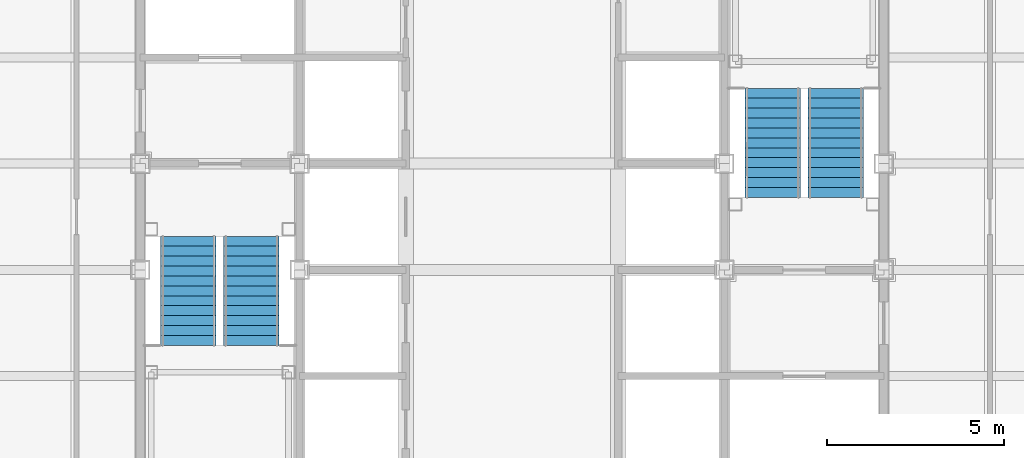
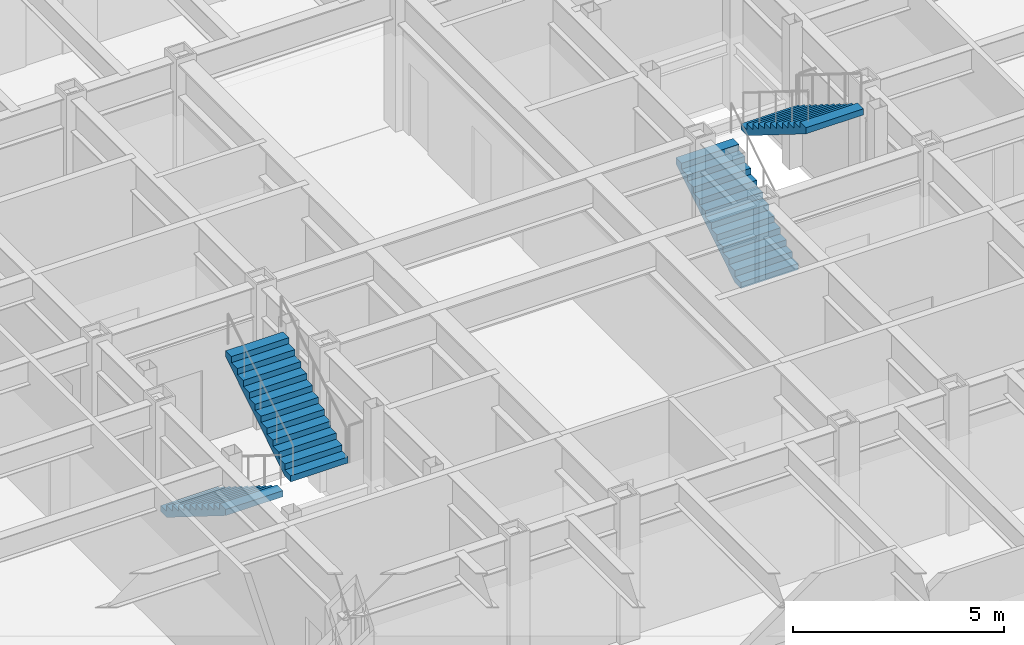
# One storey, part 14 of 16: 4 stair flights, 2 elements without a shape of their own.
"""IFC4 building model written with IfcOpenShell, lengths in metres."""

import ifcopenshell
import ifcopenshell.guid

model = None  # the IFC model being written
_history = None  # IfcOwnerHistory: only IFC2X3 demands one
_inside = {}  # id of a spatial element -> (the spatial element, [elements in it])
_under = {}  # id of a project, library or spatial element -> (it, [spatial elements below it])
_declared = {}  # id of a project -> (the project, [libraries it declares])
_typed = {}  # id of a type object -> (the type object, [elements of that type])
_made_of = {}  # id of a material, layer set ... -> (it, [elements and type objects made of it])


def new_model(schema):
    """Start an empty IFC model of exactly this schema.

    Asked for "IFC4X3", IfcOpenShell would pick the latest addendum, in which some entities
    have other attributes; the version numbers below select the first issue.
    IFC2X3 requires an IfcOwnerHistory on every rooted entity: one is made here for all.
    """
    global model, _history
    if schema == "IFC4X3":
        model = ifcopenshell.file(schema_version=(4, 3, 0, 0))
    else:
        model = ifcopenshell.file(schema=schema)
    _inside.clear()
    _under.clear()
    _declared.clear()
    _typed.clear()
    _made_of.clear()
    _history = None
    if model.schema == "IFC2X3":
        org = make("IfcOrganization", Name="unknown")
        user = make(
            "IfcPersonAndOrganization",
            ThePerson=make("IfcPerson", FamilyName="unknown"),
            TheOrganization=org,
        )
        app = make(
            "IfcApplication",
            ApplicationDeveloper=org,
            Version="unknown",
            ApplicationFullName="unknown",
            ApplicationIdentifier="unknown",
        )
        _history = make(
            "IfcOwnerHistory",
            OwningUser=user,
            OwningApplication=app,
            ChangeAction="ADDED",
            CreationDate=0,
        )
    return model


def make(cls, **values):
    """One entity of the class cls with the attributes given. An attribute that is None is left unset."""
    return model.create_entity(
        cls, **{name: value for name, value in values.items() if value is not None}
    )


def rooted(cls, **values):
    """An entity with a GlobalId (a new one), such as an element, a storey or a relation."""
    return make(cls, GlobalId=ifcopenshell.guid.new(), OwnerHistory=_history, **values)


def si_unit(unit_type, name, prefix=None):
    """IfcSIUnit, for example si_unit("LENGTHUNIT", "METRE", prefix="MILLI")."""
    return make("IfcSIUnit", UnitType=unit_type, Prefix=prefix, Name=name)


def assignment(units):
    """IfcUnitAssignment: the units of a project."""
    return None if units is None else make("IfcUnitAssignment", Units=units)


def point(xyz):
    """IfcCartesianPoint."""
    return None if xyz is None else make("IfcCartesianPoint", Coordinates=xyz)


def direction(xyz):
    """IfcDirection."""
    return None if xyz is None else make("IfcDirection", DirectionRatios=xyz)


def frame(location, z_axis=None, x_axis=None):
    """IfcAxis2Placement3D, a coordinate frame: its origin and axes. An axis left out is left unset."""
    return make(
        "IfcAxis2Placement3D",
        Location=point(location),
        Axis=direction(z_axis),
        RefDirection=direction(x_axis),
    )


def origin():
    """The frame at (0, 0, 0) with its axes left unset."""
    return frame((0.0, 0.0, 0.0))


def place(relative_to, where):
    """IfcLocalPlacement: puts the frame where relative to a parent placement (None: the world)."""
    return make(
        "IfcLocalPlacement", PlacementRelTo=relative_to, RelativePlacement=where
    )


def context(
    kind, dimensions, precision=None, world=None, true_north=None, identifier=None
):
    """IfcGeometricRepresentationContext, for example the 3D "Model" context."""
    return make(
        "IfcGeometricRepresentationContext",
        ContextIdentifier=identifier,
        ContextType=kind,
        CoordinateSpaceDimension=dimensions,
        Precision=precision,
        WorldCoordinateSystem=world,
        TrueNorth=true_north,
    )


def subcontext(parent, identifier, kind, view, scale=None):
    """IfcGeometricRepresentationSubContext, for example "Body" below "Model"."""
    return make(
        "IfcGeometricRepresentationSubContext",
        ContextIdentifier=identifier,
        ContextType=kind,
        ParentContext=parent,
        TargetScale=scale,
        TargetView=view,
    )


def project(units=None, contexts=None):
    """IfcProject with its units and contexts."""
    return rooted(
        "IfcProject",
        Name="project",
        RepresentationContexts=contexts,
        UnitsInContext=assignment(units),
    )


def spatial(cls, under=None, at=None, **own):
    """A site, building, storey or space (cls), placed at a placement, below another one or the project."""
    s = rooted(cls, ObjectPlacement=at, **own)
    if under is not None:
        _under.setdefault(under.id(), (under, []))[1].append(s)
    return s


def faces_of(points, faces, orient=None, outer=None):
    """IfcFace entities. A face is a list of loops; a loop is a list of indices into points, from 0.

    orient and outer hold one flag for each loop. By default every Orientation is true, the
    first loop of a face is its IfcFaceOuterBound and the others are IfcFaceBound.
    """
    made = []
    for i, loops in enumerate(faces):
        bounds = []
        for j, loop in enumerate(loops):
            is_outer = j == 0 if outer is None else outer[i][j]
            bounds.append(
                make(
                    "IfcFaceOuterBound" if is_outer else "IfcFaceBound",
                    Bound=make("IfcPolyLoop", Polygon=[points[k] for k in loop]),
                    Orientation=True if orient is None else orient[i][j],
                )
            )
        made.append(make("IfcFace", Bounds=bounds))
    return made


def faceted_brep(points, faces, orient=None, outer=None, voids=None):
    """IfcFacetedBrep: a solid bounded by flat faces; with voids (closed shells), ...WithVoids."""
    shared = [point(p) for p in points]
    hull = make("IfcClosedShell", CfsFaces=faces_of(shared, faces, orient, outer))
    if voids is None:
        return make("IfcFacetedBrep", Outer=hull)
    return make(
        "IfcFacetedBrepWithVoids",
        Outer=hull,
        Voids=[
            make(cls, CfsFaces=faces_of(shared, fs, o, b)) for cls, fs, o, b in voids
        ],
    )


def shape(context_of_items, identifier, shape_type, items):
    """IfcShapeRepresentation: the items that make up one representation, for example the "Body"."""
    return make(
        "IfcShapeRepresentation",
        ContextOfItems=context_of_items,
        RepresentationIdentifier=identifier,
        RepresentationType=shape_type,
        Items=items,
    )


def material(Name=None, Category=None):
    """IfcMaterial."""
    return make("IfcMaterial", Name=Name, Category=Category)


def made_of(thing, what):
    """Note that an element or type object is made of a material, layer set ...; save() writes the relation."""
    if what is not None:
        _made_of.setdefault(what.id(), (what, []))[1].append(thing)
    return thing


def type_object(cls, material=None, **own):
    """A type object (cls), such as IfcWallType, which elements share."""
    return made_of(rooted(cls, **own), material)


def element(
    cls,
    number,
    at=None,
    inside=None,
    cuts=None,
    type_object=None,
    material=None,
    context=None,
    identifier="Body",
    shape_type=None,
    held_by="IfcProductDefinitionShape",
    body=None,
    shapes=None,
    **own,
):
    """One element of the class cls, such as IfcWall. Its Tag is "e" and its number.

    at: its placement. inside: the storey or other place that contains it. cuts: it is an
    opening in that element (IfcRelVoidsElement). A single representation is given by context,
    identifier, shape_type and body (its items); several are given by shapes. held_by: the class
    of the entity that holds the representations. save() writes the other relations.
    """
    e = rooted(cls, Tag="e%d" % number, ObjectPlacement=at, **own)
    if body is not None:
        shapes = [shape(context, identifier, shape_type, body)]
    if shapes is not None:
        e.Representation = make(held_by, Representations=shapes)
    if inside is not None:
        _inside.setdefault(inside.id(), (inside, []))[1].append(e)
    if cuts is not None:
        rooted(
            "IfcRelVoidsElement", RelatingBuildingElement=cuts, RelatedOpeningElement=e
        )
    if type_object is not None:
        _typed.setdefault(type_object.id(), (type_object, []))[1].append(e)
    return made_of(e, material)


def aggregate(whole, parts):
    """IfcRelAggregates: a whole, such as a stair, and the parts it consists of."""
    return rooted("IfcRelAggregates", RelatingObject=whole, RelatedObjects=parts)


def save(model, path):
    """Write the relations noted so far, then the file.

    IfcRelAggregates (storeys below a building ...), IfcRelContainedInSpatialStructure (elements
    in a storey), IfcRelDefinesByType, IfcRelAssociatesMaterial and IfcRelDeclares: one each for
    every whole, place, type object, material and project.
    """
    for whole, parts in _under.values():
        aggregate(whole, parts)
    for where, things in _inside.values():
        rooted(
            "IfcRelContainedInSpatialStructure",
            RelatedElements=things,
            RelatingStructure=where,
        )
    for kind, things in _typed.values():
        rooted("IfcRelDefinesByType", RelatedObjects=things, RelatingType=kind)
    for what, things in _made_of.values():
        rooted("IfcRelAssociatesMaterial", RelatedObjects=things, RelatingMaterial=what)
    for by, libraries in _declared.values():
        rooted("IfcRelDeclares", RelatingContext=by, RelatedDefinitions=libraries)
    model.write(path)


model = new_model("IFC4")

# Units and contexts
model_context = context("Model", 3, precision=1e-05, world=origin(), true_north=direction((0.0, 1.0)))
body_context = subcontext(model_context, "Body", "Model", "MODEL_VIEW")
ifc_project = project(units=[si_unit("LENGTHUNIT", "METRE"), si_unit("AREAUNIT", "SQUARE_METRE"), si_unit("VOLUMEUNIT", "CUBIC_METRE"), si_unit("PLANEANGLEUNIT", "RADIAN"), si_unit("MASSUNIT", "GRAM", prefix="KILO")], contexts=[model_context])

# Site, building, storey
site_placement = place(None, origin())
site = spatial("IfcSite", under=ifc_project, at=site_placement, CompositionType="ELEMENT")
building_placement = place(site_placement, origin())
building = spatial("IfcBuilding", under=site, at=building_placement, Name="Chuquiago Exchange Tower", CompositionType="ELEMENT")
storey_placement = place(building_placement, frame((0.0, 0.0, 222.300048828125)))
storey = spatial("IfcBuildingStorey", under=building, at=storey_placement, Name="L49", CompositionType="ELEMENT", Elevation=222.300048828125)

# Stair, stair flights
ifc_material_1 = material(Name="Concrete C30/37, precast", Category="concrete")
stair_type_1 = type_object("IfcStairType", Name="ST1 half-turn stair 4200", PredefinedType="HALF_TURN_STAIR", material=ifc_material_1)
stair_1_placement = place(storey_placement, origin())
stair_1 = element("IfcStair", 1, at=stair_1_placement, inside=storey, type_object=stair_type_1, Name="Stair ST1 L49", PredefinedType="HALF_TURN_STAIR")
ifc_material_2 = material(Name="Concrete C30/37, precast", Category="concrete")
stair_flight_type = type_object("IfcStairFlightType", Name="ST-F flight 1570 for 4200 storey", PredefinedType="STRAIGHT", material=ifc_material_2)
stair_flight_1_placement = place(storey_placement, frame((13.360107421875, 21.949951171875, 0.0), z_axis=(0.0, 0.0, 1.0), x_axis=(0.0, -1.0, 0.0)))
stair_flight_1 = element("IfcStairFlight", 2, at=stair_flight_1_placement, type_object=stair_flight_type, Name="ST1 flight 1", NumberOfRisers=12, NumberOfTreads=11, PredefinedType="STRAIGHT", RiserHeight=0.175, TreadLength=0.28, context=body_context, shape_type="Brep", body=[
    faceted_brep([(0.0, 0.78515625, 0.0), (0.0, 0.78515625, 0.175048828125), (0.280029296875, 0.78515625, 0.175048828125), (0.280029296875, 0.78515625, 0.35009765625), (0.56005859375, 0.78515625, 0.35009765625), (0.56005859375, 0.78515625, 0.52490234375), (0.840087890625, 0.78515625, 0.52490234375), (0.840087890625, 0.78515625, 0.699951171875), (1.1201171875, 0.78515625, 0.699951171875), (1.1201171875, 0.78515625, 0.875), (1.39990234375, 0.78515625, 0.875), (1.39990234375, 0.78515625, 1.050048828125), (1.679931640625, 0.78515625, 1.050048828125), (1.679931640625, 0.78515625, 1.22509765625), (1.9599609375, 0.78515625, 1.22509765625), (1.9599609375, 0.78515625, 1.39990234375), (2.239990234375, 0.78515625, 1.39990234375), (2.239990234375, 0.78515625, 1.574951171875), (2.52001953125, 0.78515625, 1.574951171875), (2.52001953125, 0.78515625, 1.75), (2.800048828125, 0.78515625, 1.75), (2.800048828125, 0.78515625, 1.925048828125), (3.080078125, 0.78515625, 1.925048828125), (3.080078125, 0.78515625, 1.748291015625), (0.28271484375, 0.78515625, 0.0), (0.28271484375, -0.78515625, 0.0), (3.080078125, -0.78515625, 1.748291015625), (3.080078125, -0.78515625, 1.925048828125), (2.800048828125, -0.78515625, 1.925048828125), (2.800048828125, -0.78515625, 1.75), (2.52001953125, -0.78515625, 1.75), (2.52001953125, -0.78515625, 1.574951171875), (2.239990234375, -0.78515625, 1.574951171875), (2.239990234375, -0.78515625, 1.39990234375), (1.9599609375, -0.78515625, 1.39990234375), (1.9599609375, -0.78515625, 1.22509765625), (1.679931640625, -0.78515625, 1.22509765625), (1.679931640625, -0.78515625, 1.050048828125), (1.39990234375, -0.78515625, 1.050048828125), (1.39990234375, -0.78515625, 0.875), (1.1201171875, -0.78515625, 0.875), (1.1201171875, -0.78515625, 0.699951171875), (0.840087890625, -0.78515625, 0.699951171875), (0.840087890625, -0.78515625, 0.52490234375), (0.56005859375, -0.78515625, 0.52490234375), (0.56005859375, -0.78515625, 0.35009765625), (0.280029296875, -0.78515625, 0.35009765625), (0.280029296875, -0.78515625, 0.175048828125), (0.0, -0.78515625, 0.175048828125), (0.0, -0.78515625, 0.0), (0.0, 0.392578125, 0.0), (0.0, 0.392578125, 0.175048828125), (0.0, 0.0, 0.0), (0.0, 0.0, 0.175048828125), (0.0, -0.392578125, 0.0), (0.0, -0.392578125, 0.175048828125), (0.280029296875, 0.392578125, 0.175048828125), (0.280029296875, 0.0, 0.175048828125), (0.280029296875, -0.392578125, 0.175048828125), (0.280029296875, 0.392578125, 0.35009765625), (0.280029296875, 0.0, 0.35009765625), (0.280029296875, -0.392578125, 0.35009765625), (0.56005859375, 0.392578125, 0.35009765625), (0.56005859375, 0.0, 0.35009765625), (0.56005859375, -0.392578125, 0.35009765625), (0.56005859375, 0.392578125, 0.52490234375), (0.56005859375, 0.0, 0.52490234375), (0.56005859375, -0.392578125, 0.52490234375), (0.840087890625, 0.392578125, 0.52490234375), (0.840087890625, 0.0, 0.52490234375), (0.840087890625, -0.392578125, 0.52490234375), (0.840087890625, 0.392578125, 0.699951171875), (0.840087890625, 0.0, 0.699951171875), (0.840087890625, -0.392578125, 0.699951171875), (1.1201171875, 0.392578125, 0.699951171875), (1.1201171875, 0.0, 0.699951171875), (1.1201171875, -0.392578125, 0.699951171875), (1.1201171875, 0.392578125, 0.875), (1.1201171875, 0.0, 0.875), (1.1201171875, -0.392578125, 0.875), (1.39990234375, 0.392578125, 0.875), (1.39990234375, 0.0, 0.875), (1.39990234375, -0.392578125, 0.875), (1.39990234375, 0.392578125, 1.050048828125), (1.39990234375, 0.0, 1.050048828125), (1.39990234375, -0.392578125, 1.050048828125), (1.679931640625, 0.392578125, 1.050048828125), (1.679931640625, 0.0, 1.050048828125), (1.679931640625, -0.392578125, 1.050048828125), (1.679931640625, 0.392578125, 1.22509765625), (1.679931640625, 0.0, 1.22509765625), (1.679931640625, -0.392578125, 1.22509765625), (1.9599609375, 0.392578125, 1.22509765625), (1.9599609375, 0.0, 1.22509765625), (1.9599609375, -0.392578125, 1.22509765625), (1.9599609375, 0.392578125, 1.39990234375), (1.9599609375, 0.0, 1.39990234375), (1.9599609375, -0.392578125, 1.39990234375), (2.239990234375, 0.392578125, 1.39990234375), (2.239990234375, 0.0, 1.39990234375), (2.239990234375, -0.392578125, 1.39990234375), (2.239990234375, 0.392578125, 1.574951171875), (2.239990234375, 0.0, 1.574951171875), (2.239990234375, -0.392578125, 1.574951171875), (2.52001953125, 0.392578125, 1.574951171875), (2.52001953125, 0.0, 1.574951171875), (2.52001953125, -0.392578125, 1.574951171875), (2.52001953125, 0.392578125, 1.75), (2.52001953125, 0.0, 1.75), (2.52001953125, -0.392578125, 1.75), (2.800048828125, 0.392578125, 1.75), (2.800048828125, 0.0, 1.75), (2.800048828125, -0.392578125, 1.75), (2.800048828125, 0.392578125, 1.925048828125), (2.800048828125, 0.0, 1.925048828125), (2.800048828125, -0.392578125, 1.925048828125), (3.080078125, 0.392578125, 1.925048828125), (3.080078125, 0.0, 1.925048828125), (3.080078125, -0.392578125, 1.925048828125), (3.080078125, 0.392578125, 1.748291015625), (3.080078125, 0.0, 1.748291015625), (3.080078125, -0.392578125, 1.748291015625), (0.28271484375, 0.392578125, 0.0), (0.28271484375, 0.0, 0.0), (0.28271484375, -0.392578125, 0.0)], [[[0, 1, 2, 3, 4, 5, 6, 7, 8, 9, 10, 11, 12, 13, 14, 15, 16, 17, 18, 19, 20, 21, 22, 23, 24]], [[25, 26, 27, 28, 29, 30, 31, 32, 33, 34, 35, 36, 37, 38, 39, 40, 41, 42, 43, 44, 45, 46, 47, 48, 49]], [[1, 0, 50, 51]], [[51, 50, 52, 53]], [[53, 52, 54, 55]], [[55, 54, 49, 48]], [[2, 1, 51, 56]], [[56, 51, 53, 57]], [[57, 53, 55, 58]], [[58, 55, 48, 47]], [[3, 2, 56, 59]], [[59, 56, 57, 60]], [[60, 57, 58, 61]], [[61, 58, 47, 46]], [[4, 3, 59, 62]], [[62, 59, 60, 63]], [[63, 60, 61, 64]], [[64, 61, 46, 45]], [[5, 4, 62, 65]], [[65, 62, 63, 66]], [[66, 63, 64, 67]], [[67, 64, 45, 44]], [[6, 5, 65, 68]], [[68, 65, 66, 69]], [[69, 66, 67, 70]], [[70, 67, 44, 43]], [[7, 6, 68, 71]], [[71, 68, 69, 72]], [[72, 69, 70, 73]], [[73, 70, 43, 42]], [[8, 7, 71, 74]], [[74, 71, 72, 75]], [[75, 72, 73, 76]], [[76, 73, 42, 41]], [[9, 8, 74, 77]], [[77, 74, 75, 78]], [[78, 75, 76, 79]], [[79, 76, 41, 40]], [[10, 9, 77, 80]], [[80, 77, 78, 81]], [[81, 78, 79, 82]], [[82, 79, 40, 39]], [[11, 10, 80, 83]], [[83, 80, 81, 84]], [[84, 81, 82, 85]], [[85, 82, 39, 38]], [[12, 11, 83, 86]], [[86, 83, 84, 87]], [[87, 84, 85, 88]], [[88, 85, 38, 37]], [[13, 12, 86, 89]], [[89, 86, 87, 90]], [[90, 87, 88, 91]], [[91, 88, 37, 36]], [[14, 13, 89, 92]], [[92, 89, 90, 93]], [[93, 90, 91, 94]], [[94, 91, 36, 35]], [[15, 14, 92, 95]], [[95, 92, 93, 96]], [[96, 93, 94, 97]], [[97, 94, 35, 34]], [[16, 15, 95, 98]], [[98, 95, 96, 99]], [[99, 96, 97, 100]], [[100, 97, 34, 33]], [[17, 16, 98, 101]], [[101, 98, 99, 102]], [[102, 99, 100, 103]], [[103, 100, 33, 32]], [[18, 17, 101, 104]], [[104, 101, 102, 105]], [[105, 102, 103, 106]], [[106, 103, 32, 31]], [[19, 18, 104, 107]], [[107, 104, 105, 108]], [[108, 105, 106, 109]], [[109, 106, 31, 30]], [[20, 19, 107, 110]], [[110, 107, 108, 111]], [[111, 108, 109, 112]], [[112, 109, 30, 29]], [[21, 20, 110, 113]], [[113, 110, 111, 114]], [[114, 111, 112, 115]], [[115, 112, 29, 28]], [[22, 21, 113, 116]], [[116, 113, 114, 117]], [[117, 114, 115, 118]], [[118, 115, 28, 27]], [[23, 22, 116, 119]], [[119, 116, 117, 120]], [[120, 117, 118, 121]], [[121, 118, 27, 26]], [[24, 23, 119, 122]], [[122, 119, 120, 123]], [[123, 120, 121, 124]], [[124, 121, 26, 25]], [[0, 24, 122, 50]], [[50, 122, 123, 52]], [[52, 123, 124, 54]], [[54, 124, 25, 49]]]),
])
stair_flight_2_placement = place(storey_placement, frame((15.139892578125, 18.8701171875, 2.099853515625), z_axis=(0.0, 0.0, 1.0), x_axis=(0.0, 1.0, 0.0)))
stair_flight_2 = element("IfcStairFlight", 3, at=stair_flight_2_placement, type_object=stair_flight_type, Name="ST1 flight 2", NumberOfRisers=12, NumberOfTreads=11, PredefinedType="STRAIGHT", RiserHeight=0.175, TreadLength=0.28, context=body_context, shape_type="Brep", body=[
    faceted_brep([(0.0, 0.78515625, 0.0), (0.0, 0.78515625, 0.175048828125), (0.280029296875, 0.78515625, 0.175048828125), (0.280029296875, 0.78515625, 0.35009765625), (0.56005859375, 0.78515625, 0.35009765625), (0.56005859375, 0.78515625, 0.52490234375), (0.840087890625, 0.78515625, 0.52490234375), (0.840087890625, 0.78515625, 0.699951171875), (1.1201171875, 0.78515625, 0.699951171875), (1.1201171875, 0.78515625, 0.875), (1.39990234375, 0.78515625, 0.875), (1.39990234375, 0.78515625, 1.050048828125), (1.679931640625, 0.78515625, 1.050048828125), (1.679931640625, 0.78515625, 1.22509765625), (1.9599609375, 0.78515625, 1.22509765625), (1.9599609375, 0.78515625, 1.39990234375), (2.239990234375, 0.78515625, 1.39990234375), (2.239990234375, 0.78515625, 1.574951171875), (2.52001953125, 0.78515625, 1.574951171875), (2.52001953125, 0.78515625, 1.75), (2.800048828125, 0.78515625, 1.75), (2.800048828125, 0.78515625, 1.925048828125), (3.080078125, 0.78515625, 1.925048828125), (3.080078125, 0.78515625, 1.748291015625), (0.28271484375, 0.78515625, 0.0), (0.28271484375, -0.78515625, 0.0), (3.080078125, -0.78515625, 1.748291015625), (3.080078125, -0.78515625, 1.925048828125), (2.800048828125, -0.78515625, 1.925048828125), (2.800048828125, -0.78515625, 1.75), (2.52001953125, -0.78515625, 1.75), (2.52001953125, -0.78515625, 1.574951171875), (2.239990234375, -0.78515625, 1.574951171875), (2.239990234375, -0.78515625, 1.39990234375), (1.9599609375, -0.78515625, 1.39990234375), (1.9599609375, -0.78515625, 1.22509765625), (1.679931640625, -0.78515625, 1.22509765625), (1.679931640625, -0.78515625, 1.050048828125), (1.39990234375, -0.78515625, 1.050048828125), (1.39990234375, -0.78515625, 0.875), (1.1201171875, -0.78515625, 0.875), (1.1201171875, -0.78515625, 0.699951171875), (0.840087890625, -0.78515625, 0.699951171875), (0.840087890625, -0.78515625, 0.52490234375), (0.56005859375, -0.78515625, 0.52490234375), (0.56005859375, -0.78515625, 0.35009765625), (0.280029296875, -0.78515625, 0.35009765625), (0.280029296875, -0.78515625, 0.175048828125), (0.0, -0.78515625, 0.175048828125), (0.0, -0.78515625, 0.0), (0.0, 0.392578125, 0.0), (0.0, 0.392578125, 0.175048828125), (0.0, 0.0, 0.0), (0.0, 0.0, 0.175048828125), (0.0, -0.392578125, 0.0), (0.0, -0.392578125, 0.175048828125), (0.280029296875, 0.392578125, 0.175048828125), (0.280029296875, 0.0, 0.175048828125), (0.280029296875, -0.392578125, 0.175048828125), (0.280029296875, 0.392578125, 0.35009765625), (0.280029296875, 0.0, 0.35009765625), (0.280029296875, -0.392578125, 0.35009765625), (0.56005859375, 0.392578125, 0.35009765625), (0.56005859375, 0.0, 0.35009765625), (0.56005859375, -0.392578125, 0.35009765625), (0.56005859375, 0.392578125, 0.52490234375), (0.56005859375, 0.0, 0.52490234375), (0.56005859375, -0.392578125, 0.52490234375), (0.840087890625, 0.392578125, 0.52490234375), (0.840087890625, 0.0, 0.52490234375), (0.840087890625, -0.392578125, 0.52490234375), (0.840087890625, 0.392578125, 0.699951171875), (0.840087890625, 0.0, 0.699951171875), (0.840087890625, -0.392578125, 0.699951171875), (1.1201171875, 0.392578125, 0.699951171875), (1.1201171875, 0.0, 0.699951171875), (1.1201171875, -0.392578125, 0.699951171875), (1.1201171875, 0.392578125, 0.875), (1.1201171875, 0.0, 0.875), (1.1201171875, -0.392578125, 0.875), (1.39990234375, 0.392578125, 0.875), (1.39990234375, 0.0, 0.875), (1.39990234375, -0.392578125, 0.875), (1.39990234375, 0.392578125, 1.050048828125), (1.39990234375, 0.0, 1.050048828125), (1.39990234375, -0.392578125, 1.050048828125), (1.679931640625, 0.392578125, 1.050048828125), (1.679931640625, 0.0, 1.050048828125), (1.679931640625, -0.392578125, 1.050048828125), (1.679931640625, 0.392578125, 1.22509765625), (1.679931640625, 0.0, 1.22509765625), (1.679931640625, -0.392578125, 1.22509765625), (1.9599609375, 0.392578125, 1.22509765625), (1.9599609375, 0.0, 1.22509765625), (1.9599609375, -0.392578125, 1.22509765625), (1.9599609375, 0.392578125, 1.39990234375), (1.9599609375, 0.0, 1.39990234375), (1.9599609375, -0.392578125, 1.39990234375), (2.239990234375, 0.392578125, 1.39990234375), (2.239990234375, 0.0, 1.39990234375), (2.239990234375, -0.392578125, 1.39990234375), (2.239990234375, 0.392578125, 1.574951171875), (2.239990234375, 0.0, 1.574951171875), (2.239990234375, -0.392578125, 1.574951171875), (2.52001953125, 0.392578125, 1.574951171875), (2.52001953125, 0.0, 1.574951171875), (2.52001953125, -0.392578125, 1.574951171875), (2.52001953125, 0.392578125, 1.75), (2.52001953125, 0.0, 1.75), (2.52001953125, -0.392578125, 1.75), (2.800048828125, 0.392578125, 1.75), (2.800048828125, 0.0, 1.75), (2.800048828125, -0.392578125, 1.75), (2.800048828125, 0.392578125, 1.925048828125), (2.800048828125, 0.0, 1.925048828125), (2.800048828125, -0.392578125, 1.925048828125), (3.080078125, 0.392578125, 1.925048828125), (3.080078125, 0.0, 1.925048828125), (3.080078125, -0.392578125, 1.925048828125), (3.080078125, 0.392578125, 1.748291015625), (3.080078125, 0.0, 1.748291015625), (3.080078125, -0.392578125, 1.748291015625), (0.28271484375, 0.392578125, 0.0), (0.28271484375, 0.0, 0.0), (0.28271484375, -0.392578125, 0.0)], [[[0, 1, 2, 3, 4, 5, 6, 7, 8, 9, 10, 11, 12, 13, 14, 15, 16, 17, 18, 19, 20, 21, 22, 23, 24]], [[25, 26, 27, 28, 29, 30, 31, 32, 33, 34, 35, 36, 37, 38, 39, 40, 41, 42, 43, 44, 45, 46, 47, 48, 49]], [[1, 0, 50, 51]], [[51, 50, 52, 53]], [[53, 52, 54, 55]], [[55, 54, 49, 48]], [[2, 1, 51, 56]], [[56, 51, 53, 57]], [[57, 53, 55, 58]], [[58, 55, 48, 47]], [[3, 2, 56, 59]], [[59, 56, 57, 60]], [[60, 57, 58, 61]], [[61, 58, 47, 46]], [[4, 3, 59, 62]], [[62, 59, 60, 63]], [[63, 60, 61, 64]], [[64, 61, 46, 45]], [[5, 4, 62, 65]], [[65, 62, 63, 66]], [[66, 63, 64, 67]], [[67, 64, 45, 44]], [[6, 5, 65, 68]], [[68, 65, 66, 69]], [[69, 66, 67, 70]], [[70, 67, 44, 43]], [[7, 6, 68, 71]], [[71, 68, 69, 72]], [[72, 69, 70, 73]], [[73, 70, 43, 42]], [[8, 7, 71, 74]], [[74, 71, 72, 75]], [[75, 72, 73, 76]], [[76, 73, 42, 41]], [[9, 8, 74, 77]], [[77, 74, 75, 78]], [[78, 75, 76, 79]], [[79, 76, 41, 40]], [[10, 9, 77, 80]], [[80, 77, 78, 81]], [[81, 78, 79, 82]], [[82, 79, 40, 39]], [[11, 10, 80, 83]], [[83, 80, 81, 84]], [[84, 81, 82, 85]], [[85, 82, 39, 38]], [[12, 11, 83, 86]], [[86, 83, 84, 87]], [[87, 84, 85, 88]], [[88, 85, 38, 37]], [[13, 12, 86, 89]], [[89, 86, 87, 90]], [[90, 87, 88, 91]], [[91, 88, 37, 36]], [[14, 13, 89, 92]], [[92, 89, 90, 93]], [[93, 90, 91, 94]], [[94, 91, 36, 35]], [[15, 14, 92, 95]], [[95, 92, 93, 96]], [[96, 93, 94, 97]], [[97, 94, 35, 34]], [[16, 15, 95, 98]], [[98, 95, 96, 99]], [[99, 96, 97, 100]], [[100, 97, 34, 33]], [[17, 16, 98, 101]], [[101, 98, 99, 102]], [[102, 99, 100, 103]], [[103, 100, 33, 32]], [[18, 17, 101, 104]], [[104, 101, 102, 105]], [[105, 102, 103, 106]], [[106, 103, 32, 31]], [[19, 18, 104, 107]], [[107, 104, 105, 108]], [[108, 105, 106, 109]], [[109, 106, 31, 30]], [[20, 19, 107, 110]], [[110, 107, 108, 111]], [[111, 108, 109, 112]], [[112, 109, 30, 29]], [[21, 20, 110, 113]], [[113, 110, 111, 114]], [[114, 111, 112, 115]], [[115, 112, 29, 28]], [[22, 21, 113, 116]], [[116, 113, 114, 117]], [[117, 114, 115, 118]], [[118, 115, 28, 27]], [[23, 22, 116, 119]], [[119, 116, 117, 120]], [[120, 117, 118, 121]], [[121, 118, 27, 26]], [[24, 23, 119, 122]], [[122, 119, 120, 123]], [[123, 120, 121, 124]], [[124, 121, 26, 25]], [[0, 24, 122, 50]], [[50, 122, 123, 52]], [[52, 123, 124, 54]], [[54, 124, 25, 49]]]),
])
aggregate(stair_1, [stair_flight_1, stair_flight_2])

ifc_material_3 = material(Name="Concrete C30/37, precast", Category="concrete")
stair_type_2 = type_object("IfcStairType", Name="ST2 half-turn stair 4200", PredefinedType="HALF_TURN_STAIR", material=ifc_material_3)
stair_2_placement = place(storey_placement, origin())
stair_2 = element("IfcStair", 4, at=stair_2_placement, inside=storey, type_object=stair_type_2, Name="Stair ST2 L49", PredefinedType="HALF_TURN_STAIR")
stair_flight_3_placement = place(storey_placement, frame((29.860107421875, 23.050048828125, 0.0), z_axis=(0.0, 0.0, 1.0), x_axis=(0.0, 1.0, 0.0)))
stair_flight_3 = element("IfcStairFlight", 5, at=stair_flight_3_placement, type_object=stair_flight_type, Name="ST2 flight 1", NumberOfRisers=12, NumberOfTreads=11, PredefinedType="STRAIGHT", RiserHeight=0.175, TreadLength=0.28, context=body_context, shape_type="Brep", body=[
    faceted_brep([(0.0, 0.78515625, 0.0), (0.0, 0.78515625, 0.175048828125), (0.280029296875, 0.78515625, 0.175048828125), (0.280029296875, 0.78515625, 0.35009765625), (0.56005859375, 0.78515625, 0.35009765625), (0.56005859375, 0.78515625, 0.52490234375), (0.840087890625, 0.78515625, 0.52490234375), (0.840087890625, 0.78515625, 0.699951171875), (1.1201171875, 0.78515625, 0.699951171875), (1.1201171875, 0.78515625, 0.875), (1.39990234375, 0.78515625, 0.875), (1.39990234375, 0.78515625, 1.050048828125), (1.679931640625, 0.78515625, 1.050048828125), (1.679931640625, 0.78515625, 1.22509765625), (1.9599609375, 0.78515625, 1.22509765625), (1.9599609375, 0.78515625, 1.39990234375), (2.239990234375, 0.78515625, 1.39990234375), (2.239990234375, 0.78515625, 1.574951171875), (2.52001953125, 0.78515625, 1.574951171875), (2.52001953125, 0.78515625, 1.75), (2.800048828125, 0.78515625, 1.75), (2.800048828125, 0.78515625, 1.925048828125), (3.080078125, 0.78515625, 1.925048828125), (3.080078125, 0.78515625, 1.748291015625), (0.28271484375, 0.78515625, 0.0), (0.28271484375, -0.78515625, 0.0), (3.080078125, -0.78515625, 1.748291015625), (3.080078125, -0.78515625, 1.925048828125), (2.800048828125, -0.78515625, 1.925048828125), (2.800048828125, -0.78515625, 1.75), (2.52001953125, -0.78515625, 1.75), (2.52001953125, -0.78515625, 1.574951171875), (2.239990234375, -0.78515625, 1.574951171875), (2.239990234375, -0.78515625, 1.39990234375), (1.9599609375, -0.78515625, 1.39990234375), (1.9599609375, -0.78515625, 1.22509765625), (1.679931640625, -0.78515625, 1.22509765625), (1.679931640625, -0.78515625, 1.050048828125), (1.39990234375, -0.78515625, 1.050048828125), (1.39990234375, -0.78515625, 0.875), (1.1201171875, -0.78515625, 0.875), (1.1201171875, -0.78515625, 0.699951171875), (0.840087890625, -0.78515625, 0.699951171875), (0.840087890625, -0.78515625, 0.52490234375), (0.56005859375, -0.78515625, 0.52490234375), (0.56005859375, -0.78515625, 0.35009765625), (0.280029296875, -0.78515625, 0.35009765625), (0.280029296875, -0.78515625, 0.175048828125), (0.0, -0.78515625, 0.175048828125), (0.0, -0.78515625, 0.0), (0.0, 0.392578125, 0.0), (0.0, 0.392578125, 0.175048828125), (0.0, 0.0, 0.0), (0.0, 0.0, 0.175048828125), (0.0, -0.392578125, 0.0), (0.0, -0.392578125, 0.175048828125), (0.280029296875, 0.392578125, 0.175048828125), (0.280029296875, 0.0, 0.175048828125), (0.280029296875, -0.392578125, 0.175048828125), (0.280029296875, 0.392578125, 0.35009765625), (0.280029296875, 0.0, 0.35009765625), (0.280029296875, -0.392578125, 0.35009765625), (0.56005859375, 0.392578125, 0.35009765625), (0.56005859375, 0.0, 0.35009765625), (0.56005859375, -0.392578125, 0.35009765625), (0.56005859375, 0.392578125, 0.52490234375), (0.56005859375, 0.0, 0.52490234375), (0.56005859375, -0.392578125, 0.52490234375), (0.840087890625, 0.392578125, 0.52490234375), (0.840087890625, 0.0, 0.52490234375), (0.840087890625, -0.392578125, 0.52490234375), (0.840087890625, 0.392578125, 0.699951171875), (0.840087890625, 0.0, 0.699951171875), (0.840087890625, -0.392578125, 0.699951171875), (1.1201171875, 0.392578125, 0.699951171875), (1.1201171875, 0.0, 0.699951171875), (1.1201171875, -0.392578125, 0.699951171875), (1.1201171875, 0.392578125, 0.875), (1.1201171875, 0.0, 0.875), (1.1201171875, -0.392578125, 0.875), (1.39990234375, 0.392578125, 0.875), (1.39990234375, 0.0, 0.875), (1.39990234375, -0.392578125, 0.875), (1.39990234375, 0.392578125, 1.050048828125), (1.39990234375, 0.0, 1.050048828125), (1.39990234375, -0.392578125, 1.050048828125), (1.679931640625, 0.392578125, 1.050048828125), (1.679931640625, 0.0, 1.050048828125), (1.679931640625, -0.392578125, 1.050048828125), (1.679931640625, 0.392578125, 1.22509765625), (1.679931640625, 0.0, 1.22509765625), (1.679931640625, -0.392578125, 1.22509765625), (1.9599609375, 0.392578125, 1.22509765625), (1.9599609375, 0.0, 1.22509765625), (1.9599609375, -0.392578125, 1.22509765625), (1.9599609375, 0.392578125, 1.39990234375), (1.9599609375, 0.0, 1.39990234375), (1.9599609375, -0.392578125, 1.39990234375), (2.239990234375, 0.392578125, 1.39990234375), (2.239990234375, 0.0, 1.39990234375), (2.239990234375, -0.392578125, 1.39990234375), (2.239990234375, 0.392578125, 1.574951171875), (2.239990234375, 0.0, 1.574951171875), (2.239990234375, -0.392578125, 1.574951171875), (2.52001953125, 0.392578125, 1.574951171875), (2.52001953125, 0.0, 1.574951171875), (2.52001953125, -0.392578125, 1.574951171875), (2.52001953125, 0.392578125, 1.75), (2.52001953125, 0.0, 1.75), (2.52001953125, -0.392578125, 1.75), (2.800048828125, 0.392578125, 1.75), (2.800048828125, 0.0, 1.75), (2.800048828125, -0.392578125, 1.75), (2.800048828125, 0.392578125, 1.925048828125), (2.800048828125, 0.0, 1.925048828125), (2.800048828125, -0.392578125, 1.925048828125), (3.080078125, 0.392578125, 1.925048828125), (3.080078125, 0.0, 1.925048828125), (3.080078125, -0.392578125, 1.925048828125), (3.080078125, 0.392578125, 1.748291015625), (3.080078125, 0.0, 1.748291015625), (3.080078125, -0.392578125, 1.748291015625), (0.28271484375, 0.392578125, 0.0), (0.28271484375, 0.0, 0.0), (0.28271484375, -0.392578125, 0.0)], [[[0, 1, 2, 3, 4, 5, 6, 7, 8, 9, 10, 11, 12, 13, 14, 15, 16, 17, 18, 19, 20, 21, 22, 23, 24]], [[25, 26, 27, 28, 29, 30, 31, 32, 33, 34, 35, 36, 37, 38, 39, 40, 41, 42, 43, 44, 45, 46, 47, 48, 49]], [[1, 0, 50, 51]], [[51, 50, 52, 53]], [[53, 52, 54, 55]], [[55, 54, 49, 48]], [[2, 1, 51, 56]], [[56, 51, 53, 57]], [[57, 53, 55, 58]], [[58, 55, 48, 47]], [[3, 2, 56, 59]], [[59, 56, 57, 60]], [[60, 57, 58, 61]], [[61, 58, 47, 46]], [[4, 3, 59, 62]], [[62, 59, 60, 63]], [[63, 60, 61, 64]], [[64, 61, 46, 45]], [[5, 4, 62, 65]], [[65, 62, 63, 66]], [[66, 63, 64, 67]], [[67, 64, 45, 44]], [[6, 5, 65, 68]], [[68, 65, 66, 69]], [[69, 66, 67, 70]], [[70, 67, 44, 43]], [[7, 6, 68, 71]], [[71, 68, 69, 72]], [[72, 69, 70, 73]], [[73, 70, 43, 42]], [[8, 7, 71, 74]], [[74, 71, 72, 75]], [[75, 72, 73, 76]], [[76, 73, 42, 41]], [[9, 8, 74, 77]], [[77, 74, 75, 78]], [[78, 75, 76, 79]], [[79, 76, 41, 40]], [[10, 9, 77, 80]], [[80, 77, 78, 81]], [[81, 78, 79, 82]], [[82, 79, 40, 39]], [[11, 10, 80, 83]], [[83, 80, 81, 84]], [[84, 81, 82, 85]], [[85, 82, 39, 38]], [[12, 11, 83, 86]], [[86, 83, 84, 87]], [[87, 84, 85, 88]], [[88, 85, 38, 37]], [[13, 12, 86, 89]], [[89, 86, 87, 90]], [[90, 87, 88, 91]], [[91, 88, 37, 36]], [[14, 13, 89, 92]], [[92, 89, 90, 93]], [[93, 90, 91, 94]], [[94, 91, 36, 35]], [[15, 14, 92, 95]], [[95, 92, 93, 96]], [[96, 93, 94, 97]], [[97, 94, 35, 34]], [[16, 15, 95, 98]], [[98, 95, 96, 99]], [[99, 96, 97, 100]], [[100, 97, 34, 33]], [[17, 16, 98, 101]], [[101, 98, 99, 102]], [[102, 99, 100, 103]], [[103, 100, 33, 32]], [[18, 17, 101, 104]], [[104, 101, 102, 105]], [[105, 102, 103, 106]], [[106, 103, 32, 31]], [[19, 18, 104, 107]], [[107, 104, 105, 108]], [[108, 105, 106, 109]], [[109, 106, 31, 30]], [[20, 19, 107, 110]], [[110, 107, 108, 111]], [[111, 108, 109, 112]], [[112, 109, 30, 29]], [[21, 20, 110, 113]], [[113, 110, 111, 114]], [[114, 111, 112, 115]], [[115, 112, 29, 28]], [[22, 21, 113, 116]], [[116, 113, 114, 117]], [[117, 114, 115, 118]], [[118, 115, 28, 27]], [[23, 22, 116, 119]], [[119, 116, 117, 120]], [[120, 117, 118, 121]], [[121, 118, 27, 26]], [[24, 23, 119, 122]], [[122, 119, 120, 123]], [[123, 120, 121, 124]], [[124, 121, 26, 25]], [[0, 24, 122, 50]], [[50, 122, 123, 52]], [[52, 123, 124, 54]], [[54, 124, 25, 49]]]),
])
stair_flight_4_placement = place(storey_placement, frame((31.639892578125, 26.1298828125, 2.099853515625), z_axis=(0.0, 0.0, 1.0), x_axis=(0.0, -1.0, 0.0)))
stair_flight_4 = element("IfcStairFlight", 6, at=stair_flight_4_placement, type_object=stair_flight_type, Name="ST2 flight 2", NumberOfRisers=12, NumberOfTreads=11, PredefinedType="STRAIGHT", RiserHeight=0.175, TreadLength=0.28, context=body_context, shape_type="Brep", body=[
    faceted_brep([(0.0, 0.78515625, 0.0), (0.0, 0.78515625, 0.175048828125), (0.280029296875, 0.78515625, 0.175048828125), (0.280029296875, 0.78515625, 0.35009765625), (0.56005859375, 0.78515625, 0.35009765625), (0.56005859375, 0.78515625, 0.52490234375), (0.840087890625, 0.78515625, 0.52490234375), (0.840087890625, 0.78515625, 0.699951171875), (1.1201171875, 0.78515625, 0.699951171875), (1.1201171875, 0.78515625, 0.875), (1.39990234375, 0.78515625, 0.875), (1.39990234375, 0.78515625, 1.050048828125), (1.679931640625, 0.78515625, 1.050048828125), (1.679931640625, 0.78515625, 1.22509765625), (1.9599609375, 0.78515625, 1.22509765625), (1.9599609375, 0.78515625, 1.39990234375), (2.239990234375, 0.78515625, 1.39990234375), (2.239990234375, 0.78515625, 1.574951171875), (2.52001953125, 0.78515625, 1.574951171875), (2.52001953125, 0.78515625, 1.75), (2.800048828125, 0.78515625, 1.75), (2.800048828125, 0.78515625, 1.925048828125), (3.080078125, 0.78515625, 1.925048828125), (3.080078125, 0.78515625, 1.748291015625), (0.28271484375, 0.78515625, 0.0), (0.28271484375, -0.78515625, 0.0), (3.080078125, -0.78515625, 1.748291015625), (3.080078125, -0.78515625, 1.925048828125), (2.800048828125, -0.78515625, 1.925048828125), (2.800048828125, -0.78515625, 1.75), (2.52001953125, -0.78515625, 1.75), (2.52001953125, -0.78515625, 1.574951171875), (2.239990234375, -0.78515625, 1.574951171875), (2.239990234375, -0.78515625, 1.39990234375), (1.9599609375, -0.78515625, 1.39990234375), (1.9599609375, -0.78515625, 1.22509765625), (1.679931640625, -0.78515625, 1.22509765625), (1.679931640625, -0.78515625, 1.050048828125), (1.39990234375, -0.78515625, 1.050048828125), (1.39990234375, -0.78515625, 0.875), (1.1201171875, -0.78515625, 0.875), (1.1201171875, -0.78515625, 0.699951171875), (0.840087890625, -0.78515625, 0.699951171875), (0.840087890625, -0.78515625, 0.52490234375), (0.56005859375, -0.78515625, 0.52490234375), (0.56005859375, -0.78515625, 0.35009765625), (0.280029296875, -0.78515625, 0.35009765625), (0.280029296875, -0.78515625, 0.175048828125), (0.0, -0.78515625, 0.175048828125), (0.0, -0.78515625, 0.0), (0.0, 0.392578125, 0.0), (0.0, 0.392578125, 0.175048828125), (0.0, 0.0, 0.0), (0.0, 0.0, 0.175048828125), (0.0, -0.392578125, 0.0), (0.0, -0.392578125, 0.175048828125), (0.280029296875, 0.392578125, 0.175048828125), (0.280029296875, 0.0, 0.175048828125), (0.280029296875, -0.392578125, 0.175048828125), (0.280029296875, 0.392578125, 0.35009765625), (0.280029296875, 0.0, 0.35009765625), (0.280029296875, -0.392578125, 0.35009765625), (0.56005859375, 0.392578125, 0.35009765625), (0.56005859375, 0.0, 0.35009765625), (0.56005859375, -0.392578125, 0.35009765625), (0.56005859375, 0.392578125, 0.52490234375), (0.56005859375, 0.0, 0.52490234375), (0.56005859375, -0.392578125, 0.52490234375), (0.840087890625, 0.392578125, 0.52490234375), (0.840087890625, 0.0, 0.52490234375), (0.840087890625, -0.392578125, 0.52490234375), (0.840087890625, 0.392578125, 0.699951171875), (0.840087890625, 0.0, 0.699951171875), (0.840087890625, -0.392578125, 0.699951171875), (1.1201171875, 0.392578125, 0.699951171875), (1.1201171875, 0.0, 0.699951171875), (1.1201171875, -0.392578125, 0.699951171875), (1.1201171875, 0.392578125, 0.875), (1.1201171875, 0.0, 0.875), (1.1201171875, -0.392578125, 0.875), (1.39990234375, 0.392578125, 0.875), (1.39990234375, 0.0, 0.875), (1.39990234375, -0.392578125, 0.875), (1.39990234375, 0.392578125, 1.050048828125), (1.39990234375, 0.0, 1.050048828125), (1.39990234375, -0.392578125, 1.050048828125), (1.679931640625, 0.392578125, 1.050048828125), (1.679931640625, 0.0, 1.050048828125), (1.679931640625, -0.392578125, 1.050048828125), (1.679931640625, 0.392578125, 1.22509765625), (1.679931640625, 0.0, 1.22509765625), (1.679931640625, -0.392578125, 1.22509765625), (1.9599609375, 0.392578125, 1.22509765625), (1.9599609375, 0.0, 1.22509765625), (1.9599609375, -0.392578125, 1.22509765625), (1.9599609375, 0.392578125, 1.39990234375), (1.9599609375, 0.0, 1.39990234375), (1.9599609375, -0.392578125, 1.39990234375), (2.239990234375, 0.392578125, 1.39990234375), (2.239990234375, 0.0, 1.39990234375), (2.239990234375, -0.392578125, 1.39990234375), (2.239990234375, 0.392578125, 1.574951171875), (2.239990234375, 0.0, 1.574951171875), (2.239990234375, -0.392578125, 1.574951171875), (2.52001953125, 0.392578125, 1.574951171875), (2.52001953125, 0.0, 1.574951171875), (2.52001953125, -0.392578125, 1.574951171875), (2.52001953125, 0.392578125, 1.75), (2.52001953125, 0.0, 1.75), (2.52001953125, -0.392578125, 1.75), (2.800048828125, 0.392578125, 1.75), (2.800048828125, 0.0, 1.75), (2.800048828125, -0.392578125, 1.75), (2.800048828125, 0.392578125, 1.925048828125), (2.800048828125, 0.0, 1.925048828125), (2.800048828125, -0.392578125, 1.925048828125), (3.080078125, 0.392578125, 1.925048828125), (3.080078125, 0.0, 1.925048828125), (3.080078125, -0.392578125, 1.925048828125), (3.080078125, 0.392578125, 1.748291015625), (3.080078125, 0.0, 1.748291015625), (3.080078125, -0.392578125, 1.748291015625), (0.28271484375, 0.392578125, 0.0), (0.28271484375, 0.0, 0.0), (0.28271484375, -0.392578125, 0.0)], [[[0, 1, 2, 3, 4, 5, 6, 7, 8, 9, 10, 11, 12, 13, 14, 15, 16, 17, 18, 19, 20, 21, 22, 23, 24]], [[25, 26, 27, 28, 29, 30, 31, 32, 33, 34, 35, 36, 37, 38, 39, 40, 41, 42, 43, 44, 45, 46, 47, 48, 49]], [[1, 0, 50, 51]], [[51, 50, 52, 53]], [[53, 52, 54, 55]], [[55, 54, 49, 48]], [[2, 1, 51, 56]], [[56, 51, 53, 57]], [[57, 53, 55, 58]], [[58, 55, 48, 47]], [[3, 2, 56, 59]], [[59, 56, 57, 60]], [[60, 57, 58, 61]], [[61, 58, 47, 46]], [[4, 3, 59, 62]], [[62, 59, 60, 63]], [[63, 60, 61, 64]], [[64, 61, 46, 45]], [[5, 4, 62, 65]], [[65, 62, 63, 66]], [[66, 63, 64, 67]], [[67, 64, 45, 44]], [[6, 5, 65, 68]], [[68, 65, 66, 69]], [[69, 66, 67, 70]], [[70, 67, 44, 43]], [[7, 6, 68, 71]], [[71, 68, 69, 72]], [[72, 69, 70, 73]], [[73, 70, 43, 42]], [[8, 7, 71, 74]], [[74, 71, 72, 75]], [[75, 72, 73, 76]], [[76, 73, 42, 41]], [[9, 8, 74, 77]], [[77, 74, 75, 78]], [[78, 75, 76, 79]], [[79, 76, 41, 40]], [[10, 9, 77, 80]], [[80, 77, 78, 81]], [[81, 78, 79, 82]], [[82, 79, 40, 39]], [[11, 10, 80, 83]], [[83, 80, 81, 84]], [[84, 81, 82, 85]], [[85, 82, 39, 38]], [[12, 11, 83, 86]], [[86, 83, 84, 87]], [[87, 84, 85, 88]], [[88, 85, 38, 37]], [[13, 12, 86, 89]], [[89, 86, 87, 90]], [[90, 87, 88, 91]], [[91, 88, 37, 36]], [[14, 13, 89, 92]], [[92, 89, 90, 93]], [[93, 90, 91, 94]], [[94, 91, 36, 35]], [[15, 14, 92, 95]], [[95, 92, 93, 96]], [[96, 93, 94, 97]], [[97, 94, 35, 34]], [[16, 15, 95, 98]], [[98, 95, 96, 99]], [[99, 96, 97, 100]], [[100, 97, 34, 33]], [[17, 16, 98, 101]], [[101, 98, 99, 102]], [[102, 99, 100, 103]], [[103, 100, 33, 32]], [[18, 17, 101, 104]], [[104, 101, 102, 105]], [[105, 102, 103, 106]], [[106, 103, 32, 31]], [[19, 18, 104, 107]], [[107, 104, 105, 108]], [[108, 105, 106, 109]], [[109, 106, 31, 30]], [[20, 19, 107, 110]], [[110, 107, 108, 111]], [[111, 108, 109, 112]], [[112, 109, 30, 29]], [[21, 20, 110, 113]], [[113, 110, 111, 114]], [[114, 111, 112, 115]], [[115, 112, 29, 28]], [[22, 21, 113, 116]], [[116, 113, 114, 117]], [[117, 114, 115, 118]], [[118, 115, 28, 27]], [[23, 22, 116, 119]], [[119, 116, 117, 120]], [[120, 117, 118, 121]], [[121, 118, 27, 26]], [[24, 23, 119, 122]], [[122, 119, 120, 123]], [[123, 120, 121, 124]], [[124, 121, 26, 25]], [[0, 24, 122, 50]], [[50, 122, 123, 52]], [[52, 123, 124, 54]], [[54, 124, 25, 49]]]),
])
aggregate(stair_2, [stair_flight_3, stair_flight_4])

save(model, "model.ifc")
